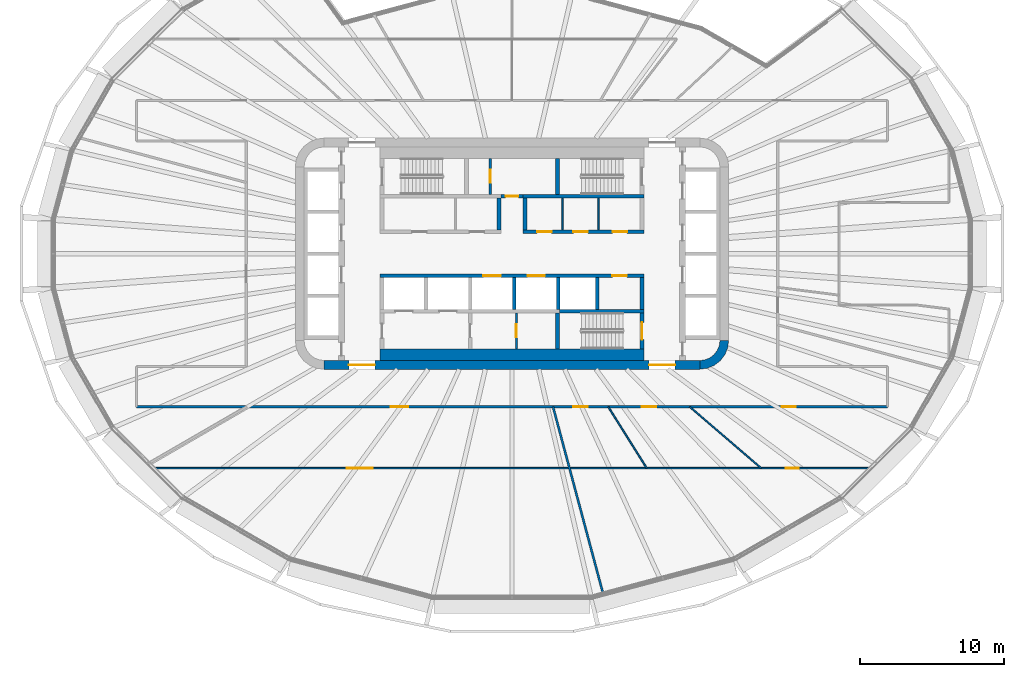
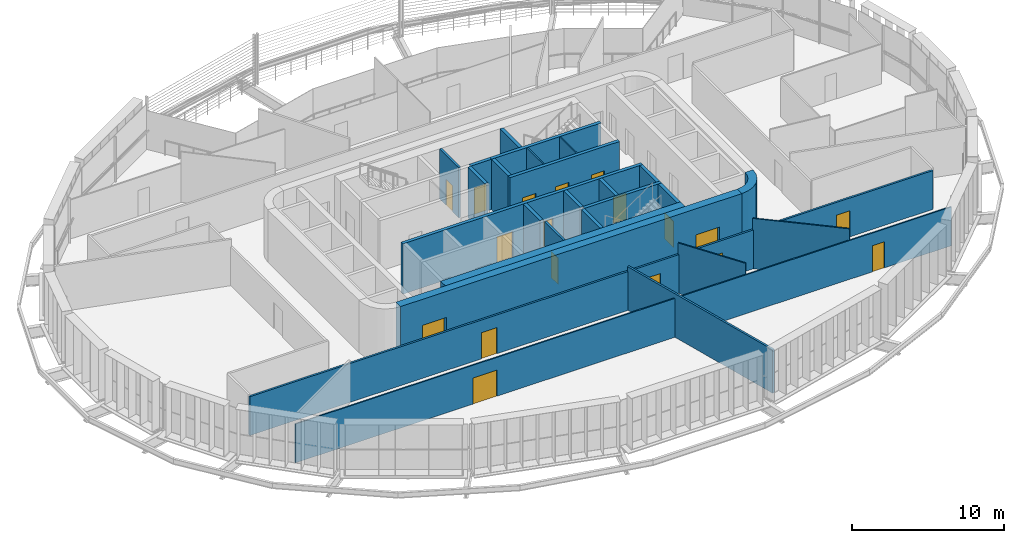
# One storey, part 14 of 24: 26 walls, 18 doors, 18 openings.
"""IFC4 building model written with IfcOpenShell, lengths in metres."""

from ifc_helpers import new_model, si_unit, direction, frame, frame_2d, origin, place, context, subcontext, project, spatial, polyline, rectangle, outline, extrude, material, layer, layer_set, type_object, element, fill, save


model = new_model("IFC4")

# Units and contexts
model_context = context("Model", 3, precision=1e-05, world=origin(), true_north=direction((0.0, 1.0)))
body_context = subcontext(model_context, "Body", "Model", "MODEL_VIEW")
ifc_project = project(units=[si_unit("LENGTHUNIT", "METRE"), si_unit("AREAUNIT", "SQUARE_METRE"), si_unit("VOLUMEUNIT", "CUBIC_METRE"), si_unit("PLANEANGLEUNIT", "RADIAN"), si_unit("MASSUNIT", "GRAM", prefix="KILO")], contexts=[model_context])

# Site, building, storey
site_placement = place(None, origin())
site = spatial("IfcSite", under=ifc_project, at=site_placement, CompositionType="ELEMENT")
building_placement = place(site_placement, origin())
building = spatial("IfcBuilding", under=site, at=building_placement, Name="Sahrelin Media Tower", CompositionType="ELEMENT")
storey_placement = place(building_placement, frame((0.0, 0.0, 123.0)))
storey = spatial("IfcBuildingStorey", under=building, at=storey_placement, Name="L24", CompositionType="ELEMENT", Elevation=123.0)

# Wall, openings, doors
ifc_material_1 = material(Name="Concrete C60/75", Category="concrete")
ifc_layer_1 = layer(ifc_material_1, 0.60009765625)
ifc_layer_set_1 = layer_set([ifc_layer_1], Name="Core wall 600")
wall_type_1 = type_object("IfcWallType", Name="Core wall 600", PredefinedType="SHEAR", material=ifc_layer_set_1)
wall_1_placement = place(storey_placement, frame((-13.0, -7.699951171875, 0.0), z_axis=(0.0, 0.0, 1.0), x_axis=(1.0, 0.0, 0.0)))
wall_1 = element("IfcWall", 1, at=wall_1_placement, inside=storey, type_object=wall_type_1, Name="Core wall S L24", PredefinedType="SHEAR", context=body_context, shape_type="SweptSolid", body=[
    extrude(rectangle(XDim=26.0, YDim=0.60009765625, at=frame_2d((13.0, 0.0))), origin(), (0.0, 0.0, 1.0), 4.199951171875),
])
opening_1_placement = place(wall_1_placement, frame((1.699951171875, 0.0, 0.0)))
opening_1 = element("IfcOpeningElement", 2, at=opening_1_placement, cuts=wall_1, Name="Opening L24-D21", PredefinedType="OPENING", context=body_context, shape_type="SweptSolid", body=[
    extrude(rectangle(XDim=1.800048828125, YDim=2.10009765625, at=frame_2d((0.89990234375, 1.050048828125))), frame((0.0, 0.300048828125, 0.0), z_axis=(0.0, -1.0, 0.0), x_axis=(1.0, 0.0, 0.0)), (0.0, 0.0, 1.0), 0.60009765625),
])
opening_2_placement = place(wall_1_placement, frame((22.5, 0.0, 0.0)))
opening_2 = element("IfcOpeningElement", 3, at=opening_2_placement, cuts=wall_1, Name="Opening L24-D22", PredefinedType="OPENING", context=body_context, shape_type="SweptSolid", body=[
    extrude(rectangle(XDim=1.800048828125, YDim=2.10009765625, at=frame_2d((0.89990234375, 1.050048828125))), frame((0.0, 0.300048828125, 0.0), z_axis=(0.0, -1.0, 0.0), x_axis=(1.0, 0.0, 0.0)), (0.0, 0.0, 1.0), 0.60009765625),
])
ifc_material_2 = material(Name="Steel fire door leaf", Category="steel")
door_type_1 = type_object("IfcDoorType", Name="Lobby double door 1800 x 2100 EI 60", OperationType="DOUBLE_DOOR_SINGLE_SWING", PredefinedType="DOOR", material=ifc_material_2)
door_1_placement = place(opening_1_placement, origin())
door_1 = element("IfcDoor", 4, at=door_1_placement, inside=storey, type_object=door_type_1, Name="Lobby door", OperationType="DOUBLE_DOOR_SINGLE_SWING", OverallHeight=2.10009765625, OverallWidth=1.800048828125, PredefinedType="DOOR", context=body_context, shape_type="SweptSolid", body=[
    extrude(rectangle(XDim=1.800048828125, YDim=2.10009765625, at=frame_2d((0.89990234375, 1.050048828125))), frame((0.0, 0.02490234375, 0.0), z_axis=(0.0, -1.0, 0.0), x_axis=(1.0, 0.0, 0.0)), (0.0, 0.0, 1.0), 0.050048828125),
])
fill(opening_1, door_1)
door_2_placement = place(opening_2_placement, origin())
door_2 = element("IfcDoor", 5, at=door_2_placement, inside=storey, type_object=door_type_1, Name="Lobby door", OperationType="DOUBLE_DOOR_SINGLE_SWING", OverallHeight=2.10009765625, OverallWidth=1.800048828125, PredefinedType="DOOR", context=body_context, shape_type="SweptSolid", body=[
    extrude(rectangle(XDim=1.800048828125, YDim=2.10009765625, at=frame_2d((0.89990234375, 1.050048828125))), frame((0.0, 0.02490234375, 0.0), z_axis=(0.0, -1.0, 0.0), x_axis=(1.0, 0.0, 0.0)), (0.0, 0.0, 1.0), 0.050048828125),
])
fill(opening_2, door_2)

# Wall
wall_2_placement = place(storey_placement, origin())
element("IfcWall", 6, at=wall_2_placement, inside=storey, type_object=wall_type_1, Name="Core wall corner SE L24", PredefinedType="SHEAR", context=body_context, shape_type="SweptSolid", body=[
    extrude(outline(polyline([(15.0, -6.0), (14.394775390625, -6.0), (14.347412109375, -6.361083984375), (14.2080078125, -6.697509765625), (13.986328125, -6.986328125), (13.697509765625, -7.2080078125), (13.361083984375, -7.347412109375), (13.0, -7.394775390625), (13.0, -8.0), (13.517578125, -7.931884765625), (14.0, -7.732177734375), (14.414306640625, -7.414306640625), (14.732177734375, -7.0), (14.931884765625, -6.517578125), (15.0, -6.0)])), origin(), (0.0, 0.0, 1.0), 4.199951171875),
])

# Wall, opening, door
ifc_material_3 = material(Name="Fire-rated gypsum board partition")
ifc_layer_2 = layer(ifc_material_3, 0.25)
ifc_layer_set_2 = layer_set([ifc_layer_2], Name="Fire-rated lobby wall 250")
wall_type_2 = type_object("IfcWallType", Name="Fire-rated lobby wall 250", PredefinedType="PARTITIONING", material=ifc_layer_set_2)
wall_3_placement = place(storey_placement, frame((-0.77490234375, 3.97509765625, 0.0), z_axis=(0.0, 0.0, 1.0), x_axis=(1.0, 0.0, 0.0)))
wall_3 = element("IfcWall", 7, at=wall_3_placement, inside=storey, type_object=wall_type_2, Name="Core lobby wall", PredefinedType="PARTITIONING", context=body_context, shape_type="SweptSolid", body=[
    extrude(rectangle(XDim=1.5498046875, YDim=0.25, at=frame_2d((0.77490234375, 0.0))), origin(), (0.0, 0.0, 1.0), 4.050048828125),
])
opening_3_placement = place(wall_3_placement, frame((0.324951171875, 0.0, 0.0)))
opening_3 = element("IfcOpeningElement", 8, at=opening_3_placement, cuts=wall_3, Name="Opening L24-D06", PredefinedType="OPENING", context=body_context, shape_type="SweptSolid", body=[
    extrude(rectangle(XDim=0.89990234375, YDim=2.10009765625, at=frame_2d((0.449951171875, 1.050048828125))), frame((0.0, 0.125, 0.0), z_axis=(0.0, -1.0, 0.0), x_axis=(1.0, 0.0, 0.0)), (0.0, 0.0, 1.0), 0.25),
])
door_type_2 = type_object("IfcDoorType", Name="Riser door 900 x 2100 EI 120", OperationType="NOTDEFINED", PredefinedType="DOOR", material=ifc_material_2)
door_3_placement = place(opening_3_placement, origin())
door_3 = element("IfcDoor", 9, at=door_3_placement, inside=storey, type_object=door_type_2, Name="Core room door", OperationType="SINGLE_SWING_LEFT", OverallHeight=2.10009765625, OverallWidth=0.89990234375, PredefinedType="DOOR", context=body_context, shape_type="SweptSolid", body=[
    extrude(rectangle(XDim=0.89990234375, YDim=2.10009765625, at=frame_2d((0.449951171875, 1.050048828125))), frame((0.0, 0.02490234375, 0.0), z_axis=(0.0, -1.0, 0.0), x_axis=(1.0, 0.0, 0.0)), (0.0, 0.0, 1.0), 0.050048828125),
])
fill(opening_3, door_3)

# Wall, openings, doors
wall_4_placement = place(storey_placement, frame((0.77490234375, 1.52490234375, 0.0), z_axis=(0.0, 0.0, 1.0), x_axis=(1.0, 0.0, 0.0)))
wall_4 = element("IfcWall", 10, at=wall_4_placement, inside=storey, type_object=wall_type_2, Name="Core lobby wall", PredefinedType="PARTITIONING", context=body_context, shape_type="SweptSolid", body=[
    extrude(rectangle(XDim=8.35009765625, YDim=0.25, at=frame_2d((4.175048828125, 0.0))), origin(), (0.0, 0.0, 1.0), 4.050048828125),
])
opening_4_placement = place(wall_4_placement, frame((0.96240234375, 0.0, 0.0)))
opening_4 = element("IfcOpeningElement", 11, at=opening_4_placement, cuts=wall_4, Name="Opening L24-D11", PredefinedType="OPENING", context=body_context, shape_type="SweptSolid", body=[
    extrude(rectangle(XDim=1.0, YDim=2.10009765625, at=frame_2d((0.5, 1.050048828125))), frame((0.0, 0.125, 0.0), z_axis=(0.0, -1.0, 0.0), x_axis=(1.0, 0.0, 0.0)), (0.0, 0.0, 1.0), 0.25),
])
opening_5_placement = place(wall_4_placement, frame((3.47509765625, 0.0, 0.0)))
opening_5 = element("IfcOpeningElement", 12, at=opening_5_placement, cuts=wall_4, Name="Opening L24-D12", PredefinedType="OPENING", context=body_context, shape_type="SweptSolid", body=[
    extrude(rectangle(XDim=1.0, YDim=2.10009765625, at=frame_2d((0.5, 1.050048828125))), frame((0.0, 0.125, 0.0), z_axis=(0.0, -1.0, 0.0), x_axis=(1.0, 0.0, 0.0)), (0.0, 0.0, 1.0), 0.25),
])
opening_6_placement = place(wall_4_placement, frame((6.1875, 0.0, 0.0)))
opening_6 = element("IfcOpeningElement", 13, at=opening_6_placement, cuts=wall_4, Name="Opening L24-D13", PredefinedType="OPENING", context=body_context, shape_type="SweptSolid", body=[
    extrude(rectangle(XDim=1.0, YDim=2.10009765625, at=frame_2d((0.5, 1.050048828125))), frame((0.0, 0.125, 0.0), z_axis=(0.0, -1.0, 0.0), x_axis=(1.0, 0.0, 0.0)), (0.0, 0.0, 1.0), 0.25),
])
door_type_3 = type_object("IfcDoorType", Name="Fire door 1000 x 2100 EI 60", OperationType="NOTDEFINED", PredefinedType="DOOR", material=ifc_material_2)
door_4_placement = place(opening_4_placement, origin())
door_4 = element("IfcDoor", 14, at=door_4_placement, inside=storey, type_object=door_type_3, Name="Core room door", OperationType="SINGLE_SWING_LEFT", OverallHeight=2.10009765625, OverallWidth=1.0, PredefinedType="DOOR", context=body_context, shape_type="SweptSolid", body=[
    extrude(rectangle(XDim=1.0, YDim=2.10009765625, at=frame_2d((0.5, 1.050048828125))), frame((0.0, 0.02490234375, 0.0), z_axis=(0.0, -1.0, 0.0), x_axis=(1.0, 0.0, 0.0)), (0.0, 0.0, 1.0), 0.050048828125),
])
fill(opening_4, door_4)
door_5_placement = place(opening_5_placement, origin())
door_5 = element("IfcDoor", 15, at=door_5_placement, inside=storey, type_object=door_type_3, Name="Core room door", OperationType="SINGLE_SWING_LEFT", OverallHeight=2.10009765625, OverallWidth=1.0, PredefinedType="DOOR", context=body_context, shape_type="SweptSolid", body=[
    extrude(rectangle(XDim=1.0, YDim=2.10009765625, at=frame_2d((0.5, 1.050048828125))), frame((0.0, 0.02490234375, 0.0), z_axis=(0.0, -1.0, 0.0), x_axis=(1.0, 0.0, 0.0)), (0.0, 0.0, 1.0), 0.050048828125),
])
fill(opening_5, door_5)
door_6_placement = place(opening_6_placement, origin())
door_6 = element("IfcDoor", 16, at=door_6_placement, inside=storey, type_object=door_type_3, Name="Core room door", OperationType="SINGLE_SWING_LEFT", OverallHeight=2.10009765625, OverallWidth=1.0, PredefinedType="DOOR", context=body_context, shape_type="SweptSolid", body=[
    extrude(rectangle(XDim=1.0, YDim=2.10009765625, at=frame_2d((0.5, 1.050048828125))), frame((0.0, 0.02490234375, 0.0), z_axis=(0.0, -1.0, 0.0), x_axis=(1.0, 0.0, 0.0)), (0.0, 0.0, 1.0), 0.050048828125),
])
fill(opening_6, door_6)

# Walls
for number, where, z_axis, x_axis, name in (
    (17, (-0.89990234375, 1.64990234375, 0.0), (0.0, 0.0, 1.0), (0.0, 1.0, 0.0), "Core lobby wall"),
    (18, (0.89990234375, 1.64990234375, 0.0), (0.0, 0.0, 1.0), (0.0, 1.0, 0.0), "Core lobby wall"),
):
    element("IfcWall", number, at=place(storey_placement, frame(where, z_axis=z_axis, x_axis=x_axis)), inside=storey, type_object=wall_type_2, Name=name, PredefinedType="PARTITIONING", context=body_context, shape_type="SweptSolid", body=[
        extrude(rectangle(XDim=2.2001953125, YDim=0.25, at=frame_2d((1.10009765625, 0.0))), origin(), (0.0, 0.0, 1.0), 4.050048828125),
    ])
ifc_layer_3 = layer(ifc_material_3, 0.10009765625)
ifc_layer_set_3 = layer_set([ifc_layer_3], Name="Fire-rated partition 100")
wall_type_3 = type_object("IfcWallType", Name="Fire-rated partition 100", PredefinedType="PARTITIONING", material=ifc_layer_set_3)
for number, where, z_axis, x_axis, name in (
    (19, (3.5, 1.64990234375, 0.0), (0.0, 0.0, 1.0), (0.0, 1.0, 0.0), "Core room partition"),
    (20, (6.0, 1.64990234375, 0.0), (0.0, 0.0, 1.0), (0.0, 1.0, 0.0), "Core room partition"),
):
    element("IfcWall", number, at=place(storey_placement, frame(where, z_axis=z_axis, x_axis=x_axis)), inside=storey, type_object=wall_type_3, Name=name, PredefinedType="PARTITIONING", context=body_context, shape_type="SweptSolid", body=[
        extrude(rectangle(XDim=2.2001953125, YDim=0.10009765625, at=frame_2d((1.10009765625, 0.0))), origin(), (0.0, 0.0, 1.0), 4.050048828125),
    ])

# Wall, opening, door
ifc_layer_4 = layer(ifc_material_3, 0.14990234375)
ifc_layer_set_4 = layer_set([ifc_layer_4], Name="Fire-rated partition 150")
wall_type_4 = type_object("IfcWallType", Name="Fire-rated partition 150", PredefinedType="PARTITIONING", material=ifc_layer_set_4)
wall_5_placement = place(storey_placement, frame((-1.5, 4.10009765625, 0.0), z_axis=(0.0, 0.0, 1.0), x_axis=(0.0, 1.0, 0.0)))
wall_5 = element("IfcWall", 21, at=wall_5_placement, inside=storey, type_object=wall_type_4, Name="Core room fire partition", PredefinedType="PARTITIONING", context=body_context, shape_type="SweptSolid", body=[
    extrude(rectangle(XDim=2.5, YDim=0.14990234375, at=frame_2d((1.25, 0.0))), origin(), (0.0, 0.0, 1.0), 4.050048828125),
])
opening_7_placement = place(wall_5_placement, frame((0.800048828125, 0.0, 0.0)))
opening_7 = element("IfcOpeningElement", 22, at=opening_7_placement, cuts=wall_5, Name="Opening L24-D07", PredefinedType="OPENING", context=body_context, shape_type="SweptSolid", body=[
    extrude(rectangle(XDim=0.89990234375, YDim=2.10009765625, at=frame_2d((0.449951171875, 1.050048828125))), frame((0.0, 0.074951171875, 0.0), z_axis=(0.0, -1.0, 0.0), x_axis=(1.0, 0.0, 0.0)), (0.0, 0.0, 1.0), 0.14990234375),
])
door_type_4 = type_object("IfcDoorType", Name="Fire door 900 x 2100 EI 60", OperationType="NOTDEFINED", PredefinedType="DOOR", material=ifc_material_2)
door_7_placement = place(opening_7_placement, origin())
door_7 = element("IfcDoor", 23, at=door_7_placement, inside=storey, type_object=door_type_4, Name="Core room door", OperationType="SINGLE_SWING_LEFT", OverallHeight=2.10009765625, OverallWidth=0.89990234375, PredefinedType="DOOR", context=body_context, shape_type="SweptSolid", body=[
    extrude(rectangle(XDim=0.89990234375, YDim=2.10009765625, at=frame_2d((0.449951171875, 1.050048828125))), frame((0.0, 0.02490234375, 0.0), z_axis=(0.0, -1.0, 0.0), x_axis=(1.0, 0.0, 0.0)), (0.0, 0.0, 1.0), 0.050048828125),
])
fill(opening_7, door_7)

wall_6_placement = place(storey_placement, frame((0.300048828125, -6.60009765625, 0.0), z_axis=(0.0, 0.0, 1.0), x_axis=(0.0, 1.0, 0.0)))
wall_6 = element("IfcWall", 24, at=wall_6_placement, inside=storey, type_object=wall_type_4, Name="Core room fire partition", PredefinedType="PARTITIONING", context=body_context, shape_type="SweptSolid", body=[
    extrude(rectangle(XDim=2.5, YDim=0.14990234375, at=frame_2d((1.25, 0.0))), origin(), (0.0, 0.0, 1.0), 4.050048828125),
])
opening_8_placement = place(wall_6_placement, frame((0.800048828125, 0.0, 0.0)))
opening_8 = element("IfcOpeningElement", 25, at=opening_8_placement, cuts=wall_6, Name="Opening L24-D08", PredefinedType="OPENING", context=body_context, shape_type="SweptSolid", body=[
    extrude(rectangle(XDim=0.89990234375, YDim=2.10009765625, at=frame_2d((0.449951171875, 1.050048828125))), frame((0.0, 0.074951171875, 0.0), z_axis=(0.0, -1.0, 0.0), x_axis=(1.0, 0.0, 0.0)), (0.0, 0.0, 1.0), 0.14990234375),
])
door_8_placement = place(opening_8_placement, origin())
door_8 = element("IfcDoor", 26, at=door_8_placement, inside=storey, type_object=door_type_4, Name="Core room door", OperationType="SINGLE_SWING_RIGHT", OverallHeight=2.10009765625, OverallWidth=0.89990234375, PredefinedType="DOOR", context=body_context, shape_type="SweptSolid", body=[
    extrude(rectangle(XDim=0.89990234375, YDim=2.10009765625, at=frame_2d((0.449951171875, 1.050048828125))), frame((0.0, 0.02490234375, 0.0), z_axis=(0.0, -1.0, 0.0), x_axis=(1.0, 0.0, 0.0)), (0.0, 0.0, 1.0), 0.050048828125),
])
fill(opening_8, door_8)

# Wall
wall_7_placement = place(storey_placement, frame((2.840087890625, -10.60009765625, 0.0), z_axis=(0.0, 0.0, 1.0), x_axis=(0.258833134742, -0.965922050872, 0.0)))
element("IfcWall", 27, at=wall_7_placement, inside=storey, type_object=wall_type_4, Name="Wall", PredefinedType="PARTITIONING", context=body_context, shape_type="SweptSolid", body=[
    extrude(rectangle(XDim=13.538330078125, YDim=0.14990234375, at=frame_2d((6.76904296875, 0.0))), origin(), (0.0, 0.0, 1.0), 3.501708984375),
])

# Wall, openings, doors
wall_8_placement = place(storey_placement, frame((-26.0, -10.60009765625, 0.0), z_axis=(0.0, 0.0, 1.0), x_axis=(1.0, 0.0, 0.0)))
wall_8 = element("IfcWall", 28, at=wall_8_placement, inside=storey, type_object=wall_type_4, Name="Wall", PredefinedType="PARTITIONING", context=body_context, shape_type="SweptSolid", body=[
    extrude(rectangle(XDim=52.0, YDim=0.14990234375, at=frame_2d((26.0, 0.0))), origin(), (0.0, 0.0, 1.0), 3.126953125),
])
opening_9_placement = place(wall_8_placement, frame((17.6201171875, 0.0, 0.0)))
opening_9 = element("IfcOpeningElement", 29, at=opening_9_placement, cuts=wall_8, Name="Opening L24-D23", PredefinedType="OPENING", context=body_context, shape_type="SweptSolid", body=[
    extrude(rectangle(XDim=1.199951171875, YDim=2.10009765625, at=frame_2d((0.60009765625, 1.050048828125))), frame((0.0, 0.074951171875, 0.0), z_axis=(0.0, -1.0, 0.0), x_axis=(1.0, 0.0, 0.0)), (0.0, 0.0, 1.0), 0.14990234375),
])
opening_10_placement = place(wall_8_placement, frame((30.25, 0.0, 0.0)))
opening_10 = element("IfcOpeningElement", 30, at=opening_10_placement, cuts=wall_8, Name="Opening L24-D25", PredefinedType="OPENING", context=body_context, shape_type="SweptSolid", body=[
    extrude(rectangle(XDim=1.0, YDim=2.10009765625, at=frame_2d((0.5, 1.050048828125))), frame((0.0, 0.074951171875, 0.0), z_axis=(0.0, -1.0, 0.0), x_axis=(1.0, 0.0, 0.0)), (0.0, 0.0, 1.0), 0.14990234375),
])
opening_11_placement = place(wall_8_placement, frame((34.988525390625, 0.0, 0.0)))
opening_11 = element("IfcOpeningElement", 31, at=opening_11_placement, cuts=wall_8, Name="Opening L24-D26", PredefinedType="OPENING", context=body_context, shape_type="SweptSolid", body=[
    extrude(rectangle(XDim=1.0, YDim=2.10009765625, at=frame_2d((0.5, 1.050048828125))), frame((0.0, 0.074951171875, 0.0), z_axis=(0.0, -1.0, 0.0), x_axis=(1.0, 0.0, 0.0)), (0.0, 0.0, 1.0), 0.14990234375),
])
opening_12_placement = place(wall_8_placement, frame((44.658447265625, 0.0, 0.0)))
opening_12 = element("IfcOpeningElement", 32, at=opening_12_placement, cuts=wall_8, Name="Opening L24-D27", PredefinedType="OPENING", context=body_context, shape_type="SweptSolid", body=[
    extrude(rectangle(XDim=1.0, YDim=2.10009765625, at=frame_2d((0.5, 1.050048828125))), frame((0.0, 0.074951171875, 0.0), z_axis=(0.0, -1.0, 0.0), x_axis=(1.0, 0.0, 0.0)), (0.0, 0.0, 1.0), 0.14990234375),
])
door_9_placement = place(opening_10_placement, origin())
door_9 = element("IfcDoor", 33, at=door_9_placement, inside=storey, type_object=door_type_3, Name="Fire door", OperationType="SINGLE_SWING_RIGHT", OverallHeight=2.10009765625, OverallWidth=1.0, PredefinedType="DOOR", context=body_context, shape_type="SweptSolid", body=[
    extrude(rectangle(XDim=1.0, YDim=2.10009765625, at=frame_2d((0.5, 1.050048828125))), frame((0.0, 0.02490234375, 0.0), z_axis=(0.0, -1.0, 0.0), x_axis=(1.0, 0.0, 0.0)), (0.0, 0.0, 1.0), 0.050048828125),
])
fill(opening_10, door_9)
door_10_placement = place(opening_11_placement, origin())
door_10 = element("IfcDoor", 34, at=door_10_placement, inside=storey, type_object=door_type_3, Name="Fire door", OperationType="SINGLE_SWING_LEFT", OverallHeight=2.10009765625, OverallWidth=1.0, PredefinedType="DOOR", context=body_context, shape_type="SweptSolid", body=[
    extrude(rectangle(XDim=1.0, YDim=2.10009765625, at=frame_2d((0.5, 1.050048828125))), frame((0.0, 0.02490234375, 0.0), z_axis=(0.0, -1.0, 0.0), x_axis=(1.0, 0.0, 0.0)), (0.0, 0.0, 1.0), 0.050048828125),
])
fill(opening_11, door_10)
door_11_placement = place(opening_12_placement, origin())
door_11 = element("IfcDoor", 35, at=door_11_placement, inside=storey, type_object=door_type_3, Name="Fire door", OperationType="SINGLE_SWING_LEFT", OverallHeight=2.10009765625, OverallWidth=1.0, PredefinedType="DOOR", context=body_context, shape_type="SweptSolid", body=[
    extrude(rectangle(XDim=1.0, YDim=2.10009765625, at=frame_2d((0.5, 1.050048828125))), frame((0.0, 0.02490234375, 0.0), z_axis=(0.0, -1.0, 0.0), x_axis=(1.0, 0.0, 0.0)), (0.0, 0.0, 1.0), 0.050048828125),
])
fill(opening_12, door_11)
door_type_5 = type_object("IfcDoorType", Name="Service double door 1200 x 2100 EI 60", OperationType="DOUBLE_DOOR_SINGLE_SWING", PredefinedType="DOOR", material=ifc_material_2)
door_12_placement = place(opening_9_placement, origin())
door_12 = element("IfcDoor", 36, at=door_12_placement, inside=storey, type_object=door_type_5, Name="Service double door", OperationType="DOUBLE_DOOR_SINGLE_SWING", OverallHeight=2.10009765625, OverallWidth=1.199951171875, PredefinedType="DOOR", context=body_context, shape_type="SweptSolid", body=[
    extrude(rectangle(XDim=1.199951171875, YDim=2.10009765625, at=frame_2d((0.60009765625, 1.050048828125))), frame((0.0, 0.02490234375, 0.0), z_axis=(0.0, -1.0, 0.0), x_axis=(1.0, 0.0, 0.0)), (0.0, 0.0, 1.0), 0.050048828125),
])
fill(opening_9, door_12)

ifc_layer_5 = layer(ifc_material_1, 0.25)
ifc_layer_set_5 = layer_set([ifc_layer_5], Name="Lift shaft wall 250")
wall_type_5 = type_object("IfcWallType", Name="Lift shaft wall 250", PredefinedType="SOLIDWALL", material=ifc_layer_set_5)
wall_9_placement = place(storey_placement, frame((-9.125, -1.52490234375, 0.0), z_axis=(0.0, 0.0, 1.0), x_axis=(1.0, 0.0, 0.0)))
wall_9 = element("IfcWall", 37, at=wall_9_placement, inside=storey, type_object=wall_type_5, Name="Lift shaft wall", PredefinedType="SOLIDWALL", context=body_context, shape_type="SweptSolid", body=[
    extrude(rectangle(XDim=18.25, YDim=0.25, at=frame_2d((9.125, 0.0))), origin(), (0.0, 0.0, 1.0), 4.050048828125),
])
opening_13_placement = place(wall_9_placement, frame((7.14990234375, 0.0, 0.0)))
opening_13 = element("IfcOpeningElement", 38, at=opening_13_placement, cuts=wall_9, Name="Opening L24-LD-SV1", PredefinedType="OPENING", context=body_context, shape_type="SweptSolid", body=[
    extrude(rectangle(XDim=1.199951171875, YDim=2.10009765625, at=frame_2d((0.60009765625, 1.050048828125))), frame((0.0, 0.125, 0.0), z_axis=(0.0, -1.0, 0.0), x_axis=(1.0, 0.0, 0.0)), (0.0, 0.0, 1.0), 0.25),
])
opening_14_placement = place(wall_9_placement, frame((10.199951171875, 0.0, 0.0)))
opening_14 = element("IfcOpeningElement", 39, at=opening_14_placement, cuts=wall_9, Name="Opening L24-LD-SV2", PredefinedType="OPENING", context=body_context, shape_type="SweptSolid", body=[
    extrude(rectangle(XDim=1.199951171875, YDim=2.10009765625, at=frame_2d((0.60009765625, 1.050048828125))), frame((0.0, 0.125, 0.0), z_axis=(0.0, -1.0, 0.0), x_axis=(1.0, 0.0, 0.0)), (0.0, 0.0, 1.0), 0.25),
])
opening_15_placement = place(wall_9_placement, frame((16.074951171875, 0.0, 0.0)))
opening_15 = element("IfcOpeningElement", 40, at=opening_15_placement, cuts=wall_9, Name="Opening L24-D14", PredefinedType="OPENING", context=body_context, shape_type="SweptSolid", body=[
    extrude(rectangle(XDim=1.0, YDim=2.10009765625, at=frame_2d((0.5, 1.050048828125))), frame((0.0, 0.125, 0.0), z_axis=(0.0, -1.0, 0.0), x_axis=(1.0, 0.0, 0.0)), (0.0, 0.0, 1.0), 0.25),
])
door_13_placement = place(opening_15_placement, origin())
door_13 = element("IfcDoor", 41, at=door_13_placement, inside=storey, type_object=door_type_3, Name="Core room door", OperationType="SINGLE_SWING_RIGHT", OverallHeight=2.10009765625, OverallWidth=1.0, PredefinedType="DOOR", context=body_context, shape_type="SweptSolid", body=[
    extrude(rectangle(XDim=1.0, YDim=2.10009765625, at=frame_2d((0.5, 1.050048828125))), frame((0.0, 0.02490234375, 0.0), z_axis=(0.0, -1.0, 0.0), x_axis=(1.0, 0.0, 0.0)), (0.0, 0.0, 1.0), 0.050048828125),
])
fill(opening_15, door_13)
ifc_material_4 = material(Name="Stainless steel", Category="steel")
door_type_6 = type_object("IfcDoorType", Name="Lift landing door 1200 x 2100 EI 120", OperationType="DOUBLE_DOOR_SLIDING", PredefinedType="DOOR", material=ifc_material_4)
door_14_placement = place(opening_13_placement, origin())
door_14 = element("IfcDoor", 42, at=door_14_placement, inside=storey, type_object=door_type_6, Name="Lift landing door SV1", OperationType="DOUBLE_DOOR_SLIDING", OverallHeight=2.10009765625, OverallWidth=1.199951171875, PredefinedType="DOOR", context=body_context, shape_type="SweptSolid", body=[
    extrude(rectangle(XDim=1.199951171875, YDim=2.10009765625, at=frame_2d((0.60009765625, 1.050048828125))), frame((0.0, 0.02490234375, 0.0), z_axis=(0.0, -1.0, 0.0), x_axis=(1.0, 0.0, 0.0)), (0.0, 0.0, 1.0), 0.050048828125),
])
fill(opening_13, door_14)
door_15_placement = place(opening_14_placement, origin())
door_15 = element("IfcDoor", 43, at=door_15_placement, inside=storey, type_object=door_type_6, Name="Lift landing door SV2", OperationType="DOUBLE_DOOR_SLIDING", OverallHeight=2.10009765625, OverallWidth=1.199951171875, PredefinedType="DOOR", context=body_context, shape_type="SweptSolid", body=[
    extrude(rectangle(XDim=1.199951171875, YDim=2.10009765625, at=frame_2d((0.60009765625, 1.050048828125))), frame((0.0, 0.02490234375, 0.0), z_axis=(0.0, -1.0, 0.0), x_axis=(1.0, 0.0, 0.0)), (0.0, 0.0, 1.0), 0.050048828125),
])
fill(opening_14, door_15)

# Walls
wall_10_placement = place(storey_placement, frame((3.27490234375, -3.97509765625, 0.0), z_axis=(0.0, 0.0, 1.0), x_axis=(1.0, 0.0, 0.0)))
element("IfcWall", 44, at=wall_10_placement, inside=storey, type_object=wall_type_5, Name="Lift shaft wall", PredefinedType="SOLIDWALL", context=body_context, shape_type="SweptSolid", body=[
    extrude(rectangle(XDim=5.85009765625, YDim=0.25, at=frame_2d((2.925048828125, 0.0))), origin(), (0.0, 0.0, 1.0), 4.050048828125),
])
for number, where, z_axis, x_axis, name in (
    (45, (0.14990234375, -3.85009765625, 0.0), (0.0, 0.0, 1.0), (0.0, 1.0, 0.0), "Lift shaft wall"),
    (46, (3.199951171875, -3.85009765625, 0.0), (0.0, 0.0, 1.0), (0.0, 1.0, 0.0), "Lift shaft wall"),
    (47, (5.89990234375, -3.85009765625, 0.0), (0.0, 0.0, 1.0), (0.0, 1.0, 0.0), "Lift shaft wall"),
    (48, (9.0, -3.85009765625, 0.0), (0.0, 0.0, 1.0), (0.0, 1.0, 0.0), "Lift shaft wall"),
):
    element("IfcWall", number, at=place(storey_placement, frame(where, z_axis=z_axis, x_axis=x_axis)), inside=storey, type_object=wall_type_5, Name=name, PredefinedType="SOLIDWALL", context=body_context, shape_type="SweptSolid", body=[
        extrude(rectangle(XDim=2.2001953125, YDim=0.25, at=frame_2d((1.10009765625, 0.0))), origin(), (0.0, 0.0, 1.0), 4.050048828125),
    ])
ifc_material_5 = material(Name="Gypsum board partition")
ifc_layer_6 = layer(ifc_material_5, 0.10009765625)
ifc_layer_set_6 = layer_set([ifc_layer_6], Name="Partition 100")
wall_type_6 = type_object("IfcWallType", Name="Partition 100", PredefinedType="PARTITIONING", material=ifc_layer_set_6)
wall_11_placement = place(storey_placement, frame((6.659912109375, -10.60009765625, 0.0), z_axis=(0.0, 0.0, 1.0), x_axis=(0.532130705972, -0.846662218221, 0.0)))
element("IfcWall", 49, at=wall_11_placement, inside=storey, type_object=wall_type_6, Name="Wall", PredefinedType="PARTITIONING", context=body_context, shape_type="SweptSolid", body=[
    extrude(rectangle(XDim=5.019775390625, YDim=0.10009765625, at=frame_2d((2.509765625, 0.0))), origin(), (0.0, 0.0, 1.0), 4.050048828125),
])
wall_12_placement = place(storey_placement, frame((12.31689453125, -10.60009765625, 0.0), z_axis=(0.0, 0.0, 1.0), x_axis=(0.758012166178, -0.652240412675, 0.0)))
element("IfcWall", 50, at=wall_12_placement, inside=storey, type_object=wall_type_6, Name="Wall", PredefinedType="PARTITIONING", context=body_context, shape_type="SweptSolid", body=[
    extrude(rectangle(XDim=6.51611328125, YDim=0.10009765625, at=frame_2d((3.258056640625, 0.0))), origin(), (0.0, 0.0, 1.0), 4.050048828125),
])

# Wall, openings, doors
wall_13_placement = place(storey_placement, frame((-24.962890625, -14.85009765625, 0.0), z_axis=(0.0, 0.0, 1.0), x_axis=(1.0, 0.0, 0.0)))
wall_13 = element("IfcWall", 51, at=wall_13_placement, inside=storey, type_object=wall_type_6, Name="Wall", PredefinedType="PARTITIONING", context=body_context, shape_type="SweptSolid", body=[
    extrude(rectangle(XDim=49.92578125, YDim=0.10009765625, at=frame_2d((24.962890625, 0.0))), origin(), (0.0, 0.0, 1.0), 3.126953125),
])
opening_16_placement = place(wall_13_placement, frame((13.52099609375, 0.0, 0.0)))
opening_16 = element("IfcOpeningElement", 52, at=opening_16_placement, cuts=wall_13, Name="Opening L24-D24", PredefinedType="OPENING", context=body_context, shape_type="SweptSolid", body=[
    extrude(rectangle(XDim=1.800048828125, YDim=2.10009765625, at=frame_2d((0.89990234375, 1.050048828125))), frame((0.0, 0.050048828125, 0.0), z_axis=(0.0, -1.0, 0.0), x_axis=(1.0, 0.0, 0.0)), (0.0, 0.0, 1.0), 0.10009765625),
])
opening_17_placement = place(wall_13_placement, frame((43.92041015625, 0.0, 0.0)))
opening_17 = element("IfcOpeningElement", 53, at=opening_17_placement, cuts=wall_13, Name="Opening L24-D28", PredefinedType="OPENING", context=body_context, shape_type="SweptSolid", body=[
    extrude(rectangle(XDim=0.89990234375, YDim=2.10009765625, at=frame_2d((0.449951171875, 1.050048828125))), frame((0.0, 0.050048828125, 0.0), z_axis=(0.0, -1.0, 0.0), x_axis=(1.0, 0.0, 0.0)), (0.0, 0.0, 1.0), 0.10009765625),
])
ifc_material_6 = material(Name="Timber door leaf", Category="wood")
door_type_7 = type_object("IfcDoorType", Name="Double door 1800 x 2100", OperationType="DOUBLE_DOOR_SINGLE_SWING", PredefinedType="DOOR", material=ifc_material_6)
door_16_placement = place(opening_16_placement, origin())
door_16 = element("IfcDoor", 54, at=door_16_placement, inside=storey, type_object=door_type_7, Name="Double door", OperationType="DOUBLE_DOOR_SINGLE_SWING", OverallHeight=2.10009765625, OverallWidth=1.800048828125, PredefinedType="DOOR", context=body_context, shape_type="SweptSolid", body=[
    extrude(rectangle(XDim=1.800048828125, YDim=2.10009765625, at=frame_2d((0.89990234375, 1.050048828125))), frame((0.0, 0.02490234375, 0.0), z_axis=(0.0, -1.0, 0.0), x_axis=(1.0, 0.0, 0.0)), (0.0, 0.0, 1.0), 0.050048828125),
])
fill(opening_16, door_16)
door_type_8 = type_object("IfcDoorType", Name="Single door 900 x 2100", OperationType="NOTDEFINED", PredefinedType="DOOR", material=ifc_material_6)
door_17_placement = place(opening_17_placement, origin())
door_17 = element("IfcDoor", 55, at=door_17_placement, inside=storey, type_object=door_type_8, Name="Single door", OperationType="SINGLE_SWING_LEFT", OverallHeight=2.10009765625, OverallWidth=0.89990234375, PredefinedType="DOOR", context=body_context, shape_type="SweptSolid", body=[
    extrude(rectangle(XDim=0.89990234375, YDim=2.10009765625, at=frame_2d((0.449951171875, 1.050048828125))), frame((0.0, 0.02490234375, 0.0), z_axis=(0.0, -1.0, 0.0), x_axis=(1.0, 0.0, 0.0)), (0.0, 0.0, 1.0), 0.050048828125),
])
fill(opening_17, door_17)

# Wall, opening, door
ifc_layer_7 = layer(ifc_material_1, 0.25)
ifc_layer_set_7 = layer_set([ifc_layer_7], Name="Stair enclosure wall 250")
wall_type_7 = type_object("IfcWallType", Name="Stair enclosure wall 250", PredefinedType="SOLIDWALL", material=ifc_layer_set_7)
wall_14_placement = place(storey_placement, frame((9.0, -6.60009765625, 0.0), z_axis=(0.0, 0.0, 1.0), x_axis=(0.0, 1.0, 0.0)))
wall_14 = element("IfcWall", 56, at=wall_14_placement, inside=storey, type_object=wall_type_7, Name="Stair enclosure wall", PredefinedType="SOLIDWALL", context=body_context, shape_type="SweptSolid", body=[
    extrude(rectangle(XDim=2.5, YDim=0.25, at=frame_2d((1.25, 0.0))), origin(), (0.0, 0.0, 1.0), 4.050048828125),
])
opening_18_placement = place(wall_14_placement, frame((0.64990234375, 0.0, 0.0)))
opening_18 = element("IfcOpeningElement", 57, at=opening_18_placement, cuts=wall_14, Name="Opening L24-D03", PredefinedType="OPENING", context=body_context, shape_type="SweptSolid", body=[
    extrude(rectangle(XDim=1.199951171875, YDim=2.10009765625, at=frame_2d((0.60009765625, 1.050048828125))), frame((0.0, 0.125, 0.0), z_axis=(0.0, -1.0, 0.0), x_axis=(1.0, 0.0, 0.0)), (0.0, 0.0, 1.0), 0.25),
])
door_type_9 = type_object("IfcDoorType", Name="Stair door 1200 x 2100 EI 120", OperationType="NOTDEFINED", PredefinedType="DOOR", material=ifc_material_2)
door_18_placement = place(opening_18_placement, origin())
door_18 = element("IfcDoor", 58, at=door_18_placement, inside=storey, type_object=door_type_9, Name="Stair door ST2", OperationType="SINGLE_SWING_LEFT", OverallHeight=2.10009765625, OverallWidth=1.199951171875, PredefinedType="DOOR", context=body_context, shape_type="SweptSolid", body=[
    extrude(rectangle(XDim=1.199951171875, YDim=2.10009765625, at=frame_2d((0.60009765625, 1.050048828125))), frame((0.0, 0.02490234375, 0.0), z_axis=(0.0, -1.0, 0.0), x_axis=(1.0, 0.0, 0.0)), (0.0, 0.0, 1.0), 0.050048828125),
])
fill(opening_18, door_18)

# Walls
for number, where, z_axis, x_axis, name in (
    (59, (3.14990234375, 4.10009765625, 0.0), (0.0, 0.0, 1.0), (0.0, 1.0, 0.0), "Stair enclosure wall"),
    (60, (3.14990234375, -6.60009765625, 0.0), (0.0, 0.0, 1.0), (0.0, 1.0, 0.0), "Stair enclosure wall"),
):
    element("IfcWall", number, at=place(storey_placement, frame(where, z_axis=z_axis, x_axis=x_axis)), inside=storey, type_object=wall_type_7, Name=name, PredefinedType="SOLIDWALL", context=body_context, shape_type="SweptSolid", body=[
        extrude(rectangle(XDim=2.5, YDim=0.25, at=frame_2d((1.25, 0.0))), origin(), (0.0, 0.0, 1.0), 4.050048828125),
    ])
wall_15_placement = place(storey_placement, frame((0.77490234375, 3.97509765625, 0.0), z_axis=(0.0, 0.0, 1.0), x_axis=(1.0, 0.0, 0.0)))
element("IfcWall", 61, at=wall_15_placement, inside=storey, type_object=wall_type_7, Name="Stair enclosure wall", PredefinedType="SOLIDWALL", context=body_context, shape_type="SweptSolid", body=[
    extrude(rectangle(XDim=8.35009765625, YDim=0.25, at=frame_2d((4.175048828125, 0.0))), origin(), (0.0, 0.0, 1.0), 4.050048828125),
])
ifc_layer_8 = layer(ifc_material_1, 0.800048828125)
ifc_layer_set_8 = layer_set([ifc_layer_8], Name="Stair enclosure wall 800")
wall_type_8 = type_object("IfcWallType", Name="Stair enclosure wall 800", PredefinedType="SOLIDWALL", material=ifc_layer_set_8)
wall_16_placement = place(storey_placement, frame((-9.125, -7.0, 0.0), z_axis=(0.0, 0.0, 1.0), x_axis=(1.0, 0.0, 0.0)))
element("IfcWall", 62, at=wall_16_placement, inside=storey, type_object=wall_type_8, Name="Stair enclosure wall", PredefinedType="SOLIDWALL", context=body_context, shape_type="SweptSolid", body=[
    extrude(rectangle(XDim=18.25, YDim=0.800048828125, at=frame_2d((9.125, 0.0))), origin(), (0.0, 0.0, 1.0), 4.050048828125),
])

save(model, "model.ifc")
